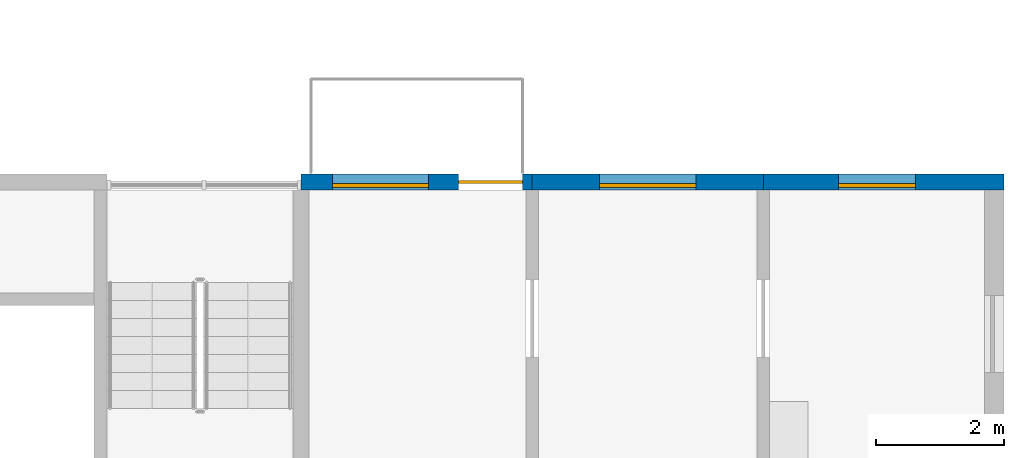
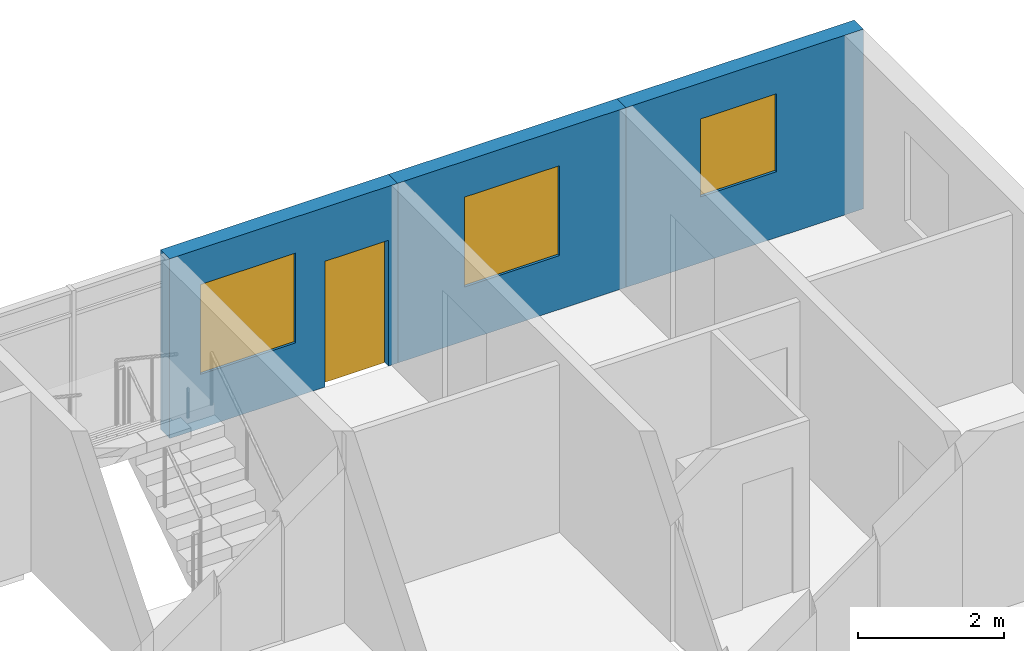
# One storey, part 61 of 100: 3 walls, 3 windows, 1 door, 4 openings.
"""IFC4 building model written with IfcOpenShell, lengths in metres."""

from ifc_helpers import new_model, si_unit, direction, frame, frame_2d, origin, place, context, subcontext, project, spatial, rectangle, extrude, material, layer, layer_set, type_object, element, fill, save


model = new_model("IFC4")

# Units and contexts
model_context = context("Model", 3, precision=1e-05, world=origin(), true_north=direction((0.0, 1.0)))
body_context = subcontext(model_context, "Body", "Model", "MODEL_VIEW")
ifc_project = project(units=[si_unit("LENGTHUNIT", "METRE"), si_unit("AREAUNIT", "SQUARE_METRE"), si_unit("VOLUMEUNIT", "CUBIC_METRE"), si_unit("PLANEANGLEUNIT", "RADIAN"), si_unit("MASSUNIT", "GRAM", prefix="KILO")], contexts=[model_context])

# Site, building, storey
site_placement = place(None, origin())
site = spatial("IfcSite", under=ifc_project, at=site_placement, CompositionType="ELEMENT")
building_placement = place(site_placement, origin())
building = spatial("IfcBuilding", under=site, at=building_placement, Name="Ridgestep Commons", CompositionType="ELEMENT")
storey_placement = place(building_placement, frame((0.0, 0.0, 9.0)))
storey = spatial("IfcBuildingStorey", under=building, at=storey_placement, Name="L03", CompositionType="ELEMENT", Elevation=9.0)

# Wall, openings, door, window
ifc_material_1 = material(Name="Precast concrete C40/50", Category="concrete")
ifc_layer = layer(ifc_material_1, 0.25)
ifc_layer_set = layer_set([ifc_layer], Name="North facade panel 250")
wall_type = type_object("IfcWallType", Name="North facade panel 250", PredefinedType="SOLIDWALL", material=ifc_layer_set)
wall_1_placement = place(storey_placement, frame((236.800048828125, 77.125, 0.0), z_axis=(0.0, 0.0, 1.0), x_axis=(1.0, 0.0, 0.0)))
wall_1 = element("IfcWall", 1, at=wall_1_placement, inside=storey, type_object=wall_type, Name="North panel C6T3 L03", PredefinedType="SOLIDWALL", context=body_context, shape_type="SweptSolid", body=[
    extrude(rectangle(XDim=3.599853515625, YDim=0.25, at=frame_2d((1.7998046875, 0.0))), origin(), (0.0, 0.0, 1.0), 3.0),
])
opening_1_placement = place(wall_1_placement, frame((0.487548828125, 0.0, 0.89990234375)))
opening_1 = element("IfcOpeningElement", 2, at=opening_1_placement, cuts=wall_1, Name="Opening W16", PredefinedType="OPENING", context=body_context, shape_type="SweptSolid", body=[
    extrude(rectangle(XDim=1.5, YDim=1.5, at=frame_2d((0.75, 0.75))), frame((0.0, 0.135009765625, 0.0), z_axis=(0.0, -1.0, 0.0), x_axis=(1.0, 0.0, 0.0)), (0.0, 0.0, 1.0), 0.27001953125),
])
opening_2_placement = place(wall_1_placement, frame((2.449951171875, 0.0, 0.0)))
opening_2 = element("IfcOpeningElement", 3, at=opening_2_placement, cuts=wall_1, Name="Opening C6-03a/8", PredefinedType="OPENING", context=body_context, shape_type="SweptSolid", body=[
    extrude(rectangle(XDim=1.0, YDim=2.10009765625, at=frame_2d((0.5, 1.050048828125))), frame((0.0, 0.135009765625, 0.0), z_axis=(0.0, -1.0, 0.0), x_axis=(1.0, 0.0, 0.0)), (0.0, 0.0, 1.0), 0.27001953125),
])
ifc_material_2 = material(Name="Aluminium and glass", Category="aluminium")
door_type = type_object("IfcDoorType", Name="Balcony door 1000 x 2100", OperationType="NOTDEFINED", PredefinedType="DOOR", material=ifc_material_2)
door_placement = place(opening_2_placement, origin())
door = element("IfcDoor", 4, at=door_placement, inside=storey, type_object=door_type, Name="Balcony door C6-03a/8", OperationType="SINGLE_SWING_LEFT", OverallHeight=2.10009765625, OverallWidth=1.0, PredefinedType="DOOR", context=body_context, shape_type="SweptSolid", body=[
    extrude(rectangle(XDim=1.0, YDim=2.10009765625, at=frame_2d((0.5, 1.050048828125))), frame((0.0, 0.02490234375, 0.0), z_axis=(0.0, -1.0, 0.0), x_axis=(1.0, 0.0, 0.0)), (0.0, 0.0, 1.0), 0.050048828125),
])
fill(opening_2, door)
ifc_material_3 = material(Name="Aluminium 6063-T6 and glass", Category="aluminium")
window_type_1 = type_object("IfcWindowType", Name="Flat window 1500 x 1500", PartitioningType="DOUBLE_PANEL_VERTICAL", PredefinedType="WINDOW", material=ifc_material_3)
window_1_placement = place(opening_1_placement, origin())
window_1 = element("IfcWindow", 5, at=window_1_placement, inside=storey, type_object=window_type_1, Name="Window C6-03a 2", OverallHeight=1.5, OverallWidth=1.5, PartitioningType="SINGLE_PANEL", PredefinedType="WINDOW", context=body_context, shape_type="SweptSolid", body=[
    extrude(rectangle(XDim=1.5, YDim=1.5, at=frame_2d((0.75, 0.75))), frame((0.0, -0.02490234375, 0.0), z_axis=(0.0, -1.0, 0.0), x_axis=(1.0, 0.0, 0.0)), (0.0, 0.0, 1.0), 0.06005859375),
])
fill(opening_1, window_1)

# Wall, opening, window
wall_2_placement = place(storey_placement, frame((240.39990234375, 77.125, 0.0), z_axis=(0.0, 0.0, 1.0), x_axis=(1.0, 0.0, 0.0)))
wall_2 = element("IfcWall", 6, at=wall_2_placement, inside=storey, type_object=wall_type, Name="North panel C6T2 L03", PredefinedType="SOLIDWALL", context=body_context, shape_type="SweptSolid", body=[
    extrude(rectangle(XDim=3.60009765625, YDim=0.25, at=frame_2d((1.800048828125, 0.0))), origin(), (0.0, 0.0, 1.0), 3.0),
])
opening_3_placement = place(wall_2_placement, frame((1.050048828125, 0.0, 0.89990234375)))
opening_3 = element("IfcOpeningElement", 7, at=opening_3_placement, cuts=wall_2, Name="Opening W16", PredefinedType="OPENING", context=body_context, shape_type="SweptSolid", body=[
    extrude(rectangle(XDim=1.5, YDim=1.5, at=frame_2d((0.75, 0.75))), frame((0.0, 0.135009765625, 0.0), z_axis=(0.0, -1.0, 0.0), x_axis=(1.0, 0.0, 0.0)), (0.0, 0.0, 1.0), 0.27001953125),
])
window_2_placement = place(opening_3_placement, origin())
window_2 = element("IfcWindow", 8, at=window_2_placement, inside=storey, type_object=window_type_1, Name="Window C6-03a 5", OverallHeight=1.5, OverallWidth=1.5, PartitioningType="SINGLE_PANEL", PredefinedType="WINDOW", context=body_context, shape_type="SweptSolid", body=[
    extrude(rectangle(XDim=1.5, YDim=1.5, at=frame_2d((0.75, 0.75))), frame((0.0, -0.02490234375, 0.0), z_axis=(0.0, -1.0, 0.0), x_axis=(1.0, 0.0, 0.0)), (0.0, 0.0, 1.0), 0.06005859375),
])
fill(opening_3, window_2)

wall_3_placement = place(storey_placement, frame((244.0, 77.125, 0.0), z_axis=(0.0, 0.0, 1.0), x_axis=(1.0, 0.0, 0.0)))
wall_3 = element("IfcWall", 9, at=wall_3_placement, inside=storey, type_object=wall_type, Name="North panel C6T1 L03", PredefinedType="SOLIDWALL", context=body_context, shape_type="SweptSolid", body=[
    extrude(rectangle(XDim=3.75, YDim=0.25, at=frame_2d((1.875, 0.0))), origin(), (0.0, 0.0, 1.0), 3.0),
])
opening_4_placement = place(wall_3_placement, frame((1.175048828125, 0.0, 1.10009765625)))
opening_4 = element("IfcOpeningElement", 10, at=opening_4_placement, cuts=wall_3, Name="Opening W08", PredefinedType="OPENING", context=body_context, shape_type="SweptSolid", body=[
    extrude(rectangle(XDim=1.199951171875, YDim=1.300048828125, at=frame_2d((0.60009765625, 0.64990234375))), frame((0.0, 0.135009765625, 0.0), z_axis=(0.0, -1.0, 0.0), x_axis=(1.0, 0.0, 0.0)), (0.0, 0.0, 1.0), 0.27001953125),
])
ifc_material_4 = material(Name="Aluminium 6063-T6 and glass", Category="aluminium")
window_type_2 = type_object("IfcWindowType", Name="Flat window 1200 x 1300", PartitioningType="SINGLE_PANEL", PredefinedType="WINDOW", material=ifc_material_4)
window_3_placement = place(opening_4_placement, origin())
window_3 = element("IfcWindow", 11, at=window_3_placement, inside=storey, type_object=window_type_2, Name="Window C6-03a 4", OverallHeight=1.300048828125, OverallWidth=1.199951171875, PartitioningType="SINGLE_PANEL", PredefinedType="WINDOW", context=body_context, shape_type="SweptSolid", body=[
    extrude(rectangle(XDim=1.199951171875, YDim=1.300048828125, at=frame_2d((0.60009765625, 0.64990234375))), frame((0.0, -0.02490234375, 0.0), z_axis=(0.0, -1.0, 0.0), x_axis=(1.0, 0.0, 0.0)), (0.0, 0.0, 1.0), 0.06005859375),
])
fill(opening_4, window_3)

save(model, "model.ifc")
